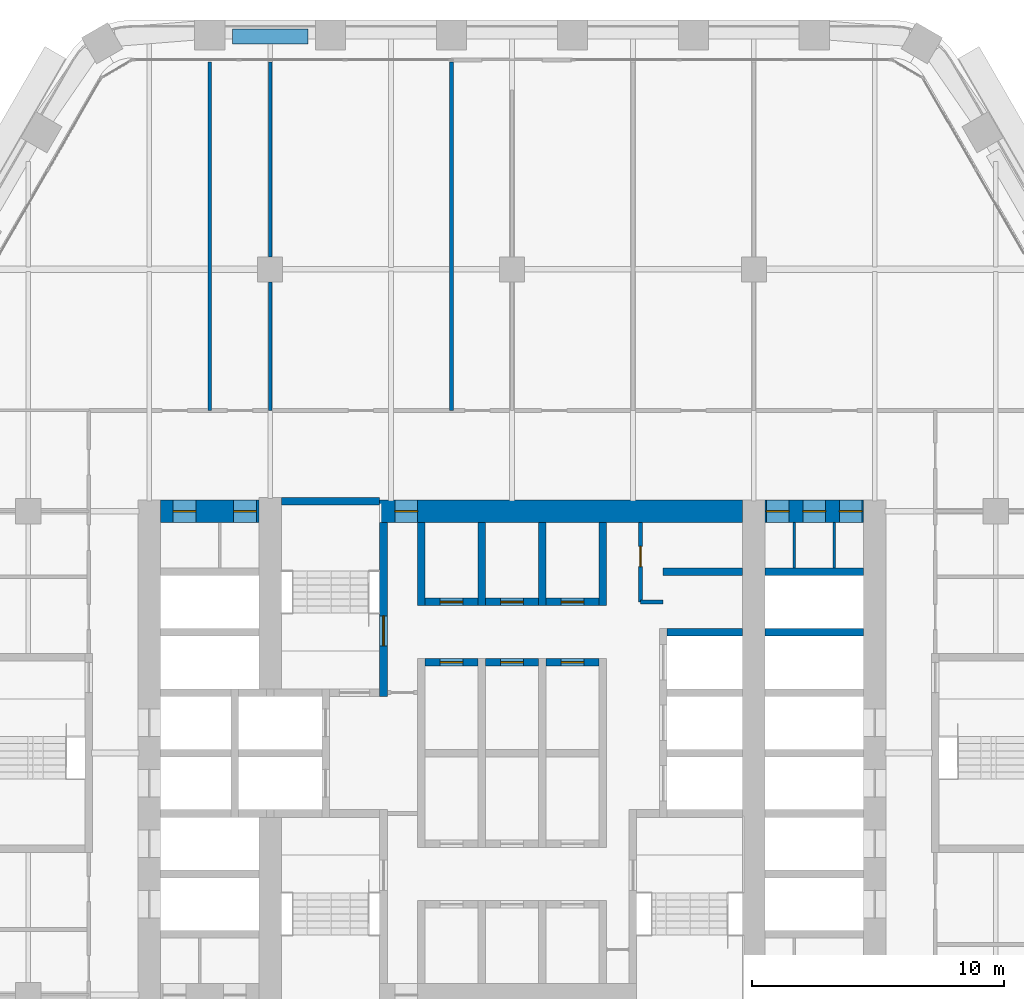
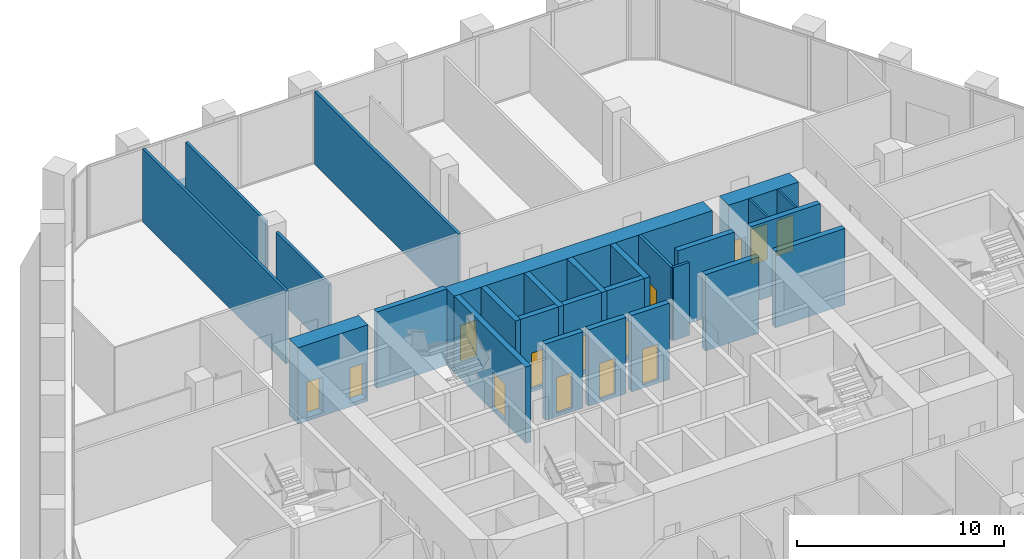
# One storey, part 16 of 23: 28 walls, 14 doors, 14 openings.
"""IFC4 building model written with IfcOpenShell, lengths in metres."""

import ifcopenshell
import ifcopenshell.guid

model = None  # the IFC model being written
_history = None  # IfcOwnerHistory: only IFC2X3 demands one
_inside = {}  # id of a spatial element -> (the spatial element, [elements in it])
_under = {}  # id of a project, library or spatial element -> (it, [spatial elements below it])
_declared = {}  # id of a project -> (the project, [libraries it declares])
_typed = {}  # id of a type object -> (the type object, [elements of that type])
_made_of = {}  # id of a material, layer set ... -> (it, [elements and type objects made of it])


def new_model(schema):
    """Start an empty IFC model of exactly this schema.

    Asked for "IFC4X3", IfcOpenShell would pick the latest addendum, in which some entities
    have other attributes; the version numbers below select the first issue.
    IFC2X3 requires an IfcOwnerHistory on every rooted entity: one is made here for all.
    """
    global model, _history
    if schema == "IFC4X3":
        model = ifcopenshell.file(schema_version=(4, 3, 0, 0))
    else:
        model = ifcopenshell.file(schema=schema)
    _inside.clear()
    _under.clear()
    _declared.clear()
    _typed.clear()
    _made_of.clear()
    _history = None
    if model.schema == "IFC2X3":
        org = make("IfcOrganization", Name="unknown")
        user = make(
            "IfcPersonAndOrganization",
            ThePerson=make("IfcPerson", FamilyName="unknown"),
            TheOrganization=org,
        )
        app = make(
            "IfcApplication",
            ApplicationDeveloper=org,
            Version="unknown",
            ApplicationFullName="unknown",
            ApplicationIdentifier="unknown",
        )
        _history = make(
            "IfcOwnerHistory",
            OwningUser=user,
            OwningApplication=app,
            ChangeAction="ADDED",
            CreationDate=0,
        )
    return model


def make(cls, **values):
    """One entity of the class cls with the attributes given. An attribute that is None is left unset."""
    return model.create_entity(
        cls, **{name: value for name, value in values.items() if value is not None}
    )


def rooted(cls, **values):
    """An entity with a GlobalId (a new one), such as an element, a storey or a relation."""
    return make(cls, GlobalId=ifcopenshell.guid.new(), OwnerHistory=_history, **values)


def si_unit(unit_type, name, prefix=None):
    """IfcSIUnit, for example si_unit("LENGTHUNIT", "METRE", prefix="MILLI")."""
    return make("IfcSIUnit", UnitType=unit_type, Prefix=prefix, Name=name)


def assignment(units):
    """IfcUnitAssignment: the units of a project."""
    return None if units is None else make("IfcUnitAssignment", Units=units)


def point(xyz):
    """IfcCartesianPoint."""
    return None if xyz is None else make("IfcCartesianPoint", Coordinates=xyz)


def direction(xyz):
    """IfcDirection."""
    return None if xyz is None else make("IfcDirection", DirectionRatios=xyz)


def frame(location, z_axis=None, x_axis=None):
    """IfcAxis2Placement3D, a coordinate frame: its origin and axes. An axis left out is left unset."""
    return make(
        "IfcAxis2Placement3D",
        Location=point(location),
        Axis=direction(z_axis),
        RefDirection=direction(x_axis),
    )


def frame_2d(location, x_axis=None):
    """IfcAxis2Placement2D, a coordinate frame in the plane: its origin and x axis."""
    return make(
        "IfcAxis2Placement2D", Location=point(location), RefDirection=direction(x_axis)
    )


def origin():
    """The frame at (0, 0, 0) with its axes left unset."""
    return frame((0.0, 0.0, 0.0))


def place(relative_to, where):
    """IfcLocalPlacement: puts the frame where relative to a parent placement (None: the world)."""
    return make(
        "IfcLocalPlacement", PlacementRelTo=relative_to, RelativePlacement=where
    )


def context(
    kind, dimensions, precision=None, world=None, true_north=None, identifier=None
):
    """IfcGeometricRepresentationContext, for example the 3D "Model" context."""
    return make(
        "IfcGeometricRepresentationContext",
        ContextIdentifier=identifier,
        ContextType=kind,
        CoordinateSpaceDimension=dimensions,
        Precision=precision,
        WorldCoordinateSystem=world,
        TrueNorth=true_north,
    )


def subcontext(parent, identifier, kind, view, scale=None):
    """IfcGeometricRepresentationSubContext, for example "Body" below "Model"."""
    return make(
        "IfcGeometricRepresentationSubContext",
        ContextIdentifier=identifier,
        ContextType=kind,
        ParentContext=parent,
        TargetScale=scale,
        TargetView=view,
    )


def project(units=None, contexts=None):
    """IfcProject with its units and contexts."""
    return rooted(
        "IfcProject",
        Name="project",
        RepresentationContexts=contexts,
        UnitsInContext=assignment(units),
    )


def spatial(cls, under=None, at=None, **own):
    """A site, building, storey or space (cls), placed at a placement, below another one or the project."""
    s = rooted(cls, ObjectPlacement=at, **own)
    if under is not None:
        _under.setdefault(under.id(), (under, []))[1].append(s)
    return s


def profile(cls, at=None, kind="AREA", **sizes):
    """A parametric profile (cls). Its sizes go by their IFC names, for example OverallWidth=200.0."""
    return make(cls, ProfileType=kind, Position=at, **sizes)


def rectangle(**sizes):
    """IfcRectangleProfileDef."""
    return profile("IfcRectangleProfileDef", **sizes)


def extrude(swept, where, along, depth):
    """IfcExtrudedAreaSolid: the profile swept, set in the frame where, extruded along a direction by depth."""
    return make(
        "IfcExtrudedAreaSolid",
        SweptArea=swept,
        Position=where,
        ExtrudedDirection=direction(along),
        Depth=depth,
    )


def shape(context_of_items, identifier, shape_type, items):
    """IfcShapeRepresentation: the items that make up one representation, for example the "Body"."""
    return make(
        "IfcShapeRepresentation",
        ContextOfItems=context_of_items,
        RepresentationIdentifier=identifier,
        RepresentationType=shape_type,
        Items=items,
    )


def material(Name=None, Category=None):
    """IfcMaterial."""
    return make("IfcMaterial", Name=Name, Category=Category)


def layer(
    of_material, thickness, ventilated=None, Name=None, Category=None, Priority=None
):
    """IfcMaterialLayer: one layer of a wall or slab, of a material (None: an air gap)."""
    return make(
        "IfcMaterialLayer",
        Material=of_material,
        LayerThickness=thickness,
        IsVentilated=ventilated,
        Name=Name,
        Category=Category,
        Priority=Priority,
    )


def layer_set(layers, Name=None):
    """IfcMaterialLayerSet."""
    return make("IfcMaterialLayerSet", MaterialLayers=layers, LayerSetName=Name)


def made_of(thing, what):
    """Note that an element or type object is made of a material, layer set ...; save() writes the relation."""
    if what is not None:
        _made_of.setdefault(what.id(), (what, []))[1].append(thing)
    return thing


def type_object(cls, material=None, **own):
    """A type object (cls), such as IfcWallType, which elements share."""
    return made_of(rooted(cls, **own), material)


def element(
    cls,
    number,
    at=None,
    inside=None,
    cuts=None,
    type_object=None,
    material=None,
    context=None,
    identifier="Body",
    shape_type=None,
    held_by="IfcProductDefinitionShape",
    body=None,
    shapes=None,
    **own,
):
    """One element of the class cls, such as IfcWall. Its Tag is "e" and its number.

    at: its placement. inside: the storey or other place that contains it. cuts: it is an
    opening in that element (IfcRelVoidsElement). A single representation is given by context,
    identifier, shape_type and body (its items); several are given by shapes. held_by: the class
    of the entity that holds the representations. save() writes the other relations.
    """
    e = rooted(cls, Tag="e%d" % number, ObjectPlacement=at, **own)
    if body is not None:
        shapes = [shape(context, identifier, shape_type, body)]
    if shapes is not None:
        e.Representation = make(held_by, Representations=shapes)
    if inside is not None:
        _inside.setdefault(inside.id(), (inside, []))[1].append(e)
    if cuts is not None:
        rooted(
            "IfcRelVoidsElement", RelatingBuildingElement=cuts, RelatedOpeningElement=e
        )
    if type_object is not None:
        _typed.setdefault(type_object.id(), (type_object, []))[1].append(e)
    return made_of(e, material)


def fill(opening, filler):
    """IfcRelFillsElement: the door or window that sits in an opening."""
    return rooted(
        "IfcRelFillsElement",
        RelatingOpeningElement=opening,
        RelatedBuildingElement=filler,
    )


def aggregate(whole, parts):
    """IfcRelAggregates: a whole, such as a stair, and the parts it consists of."""
    return rooted("IfcRelAggregates", RelatingObject=whole, RelatedObjects=parts)


def save(model, path):
    """Write the relations noted so far, then the file.

    IfcRelAggregates (storeys below a building ...), IfcRelContainedInSpatialStructure (elements
    in a storey), IfcRelDefinesByType, IfcRelAssociatesMaterial and IfcRelDeclares: one each for
    every whole, place, type object, material and project.
    """
    for whole, parts in _under.values():
        aggregate(whole, parts)
    for where, things in _inside.values():
        rooted(
            "IfcRelContainedInSpatialStructure",
            RelatedElements=things,
            RelatingStructure=where,
        )
    for kind, things in _typed.values():
        rooted("IfcRelDefinesByType", RelatedObjects=things, RelatingType=kind)
    for what, things in _made_of.values():
        rooted("IfcRelAssociatesMaterial", RelatedObjects=things, RelatingMaterial=what)
    for by, libraries in _declared.values():
        rooted("IfcRelDeclares", RelatingContext=by, RelatedDefinitions=libraries)
    model.write(path)


model = new_model("IFC4")

# Units and contexts
model_context = context("Model", 3, precision=1e-05, world=origin(), true_north=direction((0.0, 1.0)))
body_context = subcontext(model_context, "Body", "Model", "MODEL_VIEW")
ifc_project = project(units=[si_unit("LENGTHUNIT", "METRE"), si_unit("AREAUNIT", "SQUARE_METRE"), si_unit("VOLUMEUNIT", "CUBIC_METRE"), si_unit("PLANEANGLEUNIT", "RADIAN"), si_unit("MASSUNIT", "GRAM", prefix="KILO")], contexts=[model_context])

# Site, building, storey
site_placement = place(None, origin())
site = spatial("IfcSite", under=ifc_project, at=site_placement, CompositionType="ELEMENT")
building_placement = place(site_placement, origin())
building = spatial("IfcBuilding", under=site, at=building_placement, Name="Kolab Exchange Tower", CompositionType="ELEMENT")
storey_placement = place(building_placement, frame((0.0, 0.0, 95.89990234375)))
storey = spatial("IfcBuildingStorey", under=building, at=storey_placement, Name="L18", CompositionType="ELEMENT", Elevation=95.89990234375)

# Wall, openings, doors
ifc_material_1 = material(Name="Concrete C70/85", Category="concrete")
ifc_layer_1 = layer(ifc_material_1, 0.89990234375)
ifc_layer_set_1 = layer_set([ifc_layer_1], Name="Concrete C70/85")
wall_type_1 = type_object("IfcWallType", Name="CORE WALL 900 C70/85", PredefinedType="SHEAR", material=ifc_layer_set_1)
wall_1_placement = place(storey_placement, frame((-13.949951171875, 9.60009765625, -0.199951171875), z_axis=(0.0, 0.0, 1.0), x_axis=(1.0, 0.0, 0.0)))
wall_1 = element("IfcWall", 1, at=wall_1_placement, inside=storey, type_object=wall_type_1, Name="wall/L18/core/051", PredefinedType="SHEAR", context=body_context, shape_type="SweptSolid", body=[
    extrude(rectangle(XDim=3.89990234375, YDim=0.89990234375, at=frame_2d((1.949951171875, 0.0))), origin(), (0.0, 0.0, 1.0), 4.5),
])
opening_1_placement = place(wall_1_placement, frame((0.5, 0.0, 0.199951171875)))
opening_1 = element("IfcOpeningElement", 2, at=opening_1_placement, cuts=wall_1, Name="Opening D6-226", PredefinedType="OPENING", context=body_context, shape_type="SweptSolid", body=[
    extrude(rectangle(XDim=0.89990234375, YDim=2.10009765625, at=frame_2d((0.449951171875, 1.050048828125))), frame((0.0, 0.4599609375, 0.0), z_axis=(0.0, -1.0, 0.0), x_axis=(1.0, 0.0, 0.0)), (0.0, 0.0, 1.0), 0.919921875),
])
opening_2_placement = place(wall_1_placement, frame((2.89990234375, 0.0, 0.199951171875)))
opening_2 = element("IfcOpeningElement", 3, at=opening_2_placement, cuts=wall_1, Name="Opening D6-227", PredefinedType="OPENING", context=body_context, shape_type="SweptSolid", body=[
    extrude(rectangle(XDim=0.89990234375, YDim=2.10009765625, at=frame_2d((0.449951171875, 1.050048828125))), frame((0.0, 0.4599609375, 0.0), z_axis=(0.0, -1.0, 0.0), x_axis=(1.0, 0.0, 0.0)), (0.0, 0.0, 1.0), 0.919921875),
])
ifc_material_2 = material(Name="Steel S235", Category="steel")
door_type_1 = type_object("IfcDoorType", Name="CORE DOOR 900 EI 120", OperationType="SINGLE_SWING_LEFT", PredefinedType="DOOR", material=ifc_material_2)
door_1_placement = place(opening_1_placement, frame((0.89990234375, 0.0, 0.0), z_axis=(0.0, 0.0, 1.0), x_axis=(-1.0, 0.0, 0.0)))
door_1 = element("IfcDoor", 4, at=door_1_placement, inside=storey, type_object=door_type_1, Name="Service room door", OperationType="SINGLE_SWING_LEFT", OverallHeight=2.10009765625, OverallWidth=0.89990234375, PredefinedType="DOOR", context=body_context, shape_type="SweptSolid", body=[
    extrude(rectangle(XDim=0.89990234375, YDim=2.10009765625, at=frame_2d((0.449951171875, 1.050048828125))), frame((0.0, 0.02490234375, 0.0), z_axis=(0.0, -1.0, 0.0), x_axis=(1.0, 0.0, 0.0)), (0.0, 0.0, 1.0), 0.050048828125),
])
fill(opening_1, door_1)
door_2_placement = place(opening_2_placement, frame((0.89990234375, 0.0, 0.0), z_axis=(0.0, 0.0, 1.0), x_axis=(-1.0, 0.0, 0.0)))
door_2 = element("IfcDoor", 5, at=door_2_placement, inside=storey, type_object=door_type_1, Name="Service room door", OperationType="SINGLE_SWING_LEFT", OverallHeight=2.10009765625, OverallWidth=0.89990234375, PredefinedType="DOOR", context=body_context, shape_type="SweptSolid", body=[
    extrude(rectangle(XDim=0.89990234375, YDim=2.10009765625, at=frame_2d((0.449951171875, 1.050048828125))), frame((0.0, 0.02490234375, 0.0), z_axis=(0.0, -1.0, 0.0), x_axis=(1.0, 0.0, 0.0)), (0.0, 0.0, 1.0), 0.050048828125),
])
fill(opening_2, door_2)

# Wall, opening, door
wall_2_placement = place(storey_placement, frame((-5.25, 9.60009765625, -0.199951171875), z_axis=(0.0, 0.0, 1.0), x_axis=(1.0, 0.0, 0.0)))
wall_2 = element("IfcWall", 6, at=wall_2_placement, inside=storey, type_object=wall_type_1, Name="wall/L18/core/052", PredefinedType="SHEAR", context=body_context, shape_type="SweptSolid", body=[
    extrude(rectangle(XDim=14.39990234375, YDim=0.89990234375, at=frame_2d((7.199951171875, 0.0))), origin(), (0.0, 0.0, 1.0), 4.5),
])
opening_3_placement = place(wall_2_placement, frame((0.60009765625, 0.0, 0.199951171875)))
opening_3 = element("IfcOpeningElement", 7, at=opening_3_placement, cuts=wall_2, Name="Opening D6-225", PredefinedType="OPENING", context=body_context, shape_type="SweptSolid", body=[
    extrude(rectangle(XDim=0.89990234375, YDim=2.10009765625, at=frame_2d((0.449951171875, 1.050048828125))), frame((0.0, 0.4599609375, 0.0), z_axis=(0.0, -1.0, 0.0), x_axis=(1.0, 0.0, 0.0)), (0.0, 0.0, 1.0), 0.919921875),
])
door_3_placement = place(opening_3_placement, frame((0.89990234375, 0.0, 0.0), z_axis=(0.0, 0.0, 1.0), x_axis=(-1.0, 0.0, 0.0)))
door_3 = element("IfcDoor", 8, at=door_3_placement, inside=storey, type_object=door_type_1, Name="Core lobby door", OperationType="SINGLE_SWING_RIGHT", OverallHeight=2.10009765625, OverallWidth=0.89990234375, PredefinedType="DOOR", context=body_context, shape_type="SweptSolid", body=[
    extrude(rectangle(XDim=0.89990234375, YDim=2.10009765625, at=frame_2d((0.449951171875, 1.050048828125))), frame((0.0, 0.02490234375, 0.0), z_axis=(0.0, -1.0, 0.0), x_axis=(1.0, 0.0, 0.0)), (0.0, 0.0, 1.0), 0.050048828125),
])
fill(opening_3, door_3)

# Wall, openings, doors
wall_3_placement = place(storey_placement, frame((10.050048828125, 9.60009765625, -0.199951171875), z_axis=(0.0, 0.0, 1.0), x_axis=(1.0, 0.0, 0.0)))
wall_3 = element("IfcWall", 9, at=wall_3_placement, inside=storey, type_object=wall_type_1, Name="wall/L18/core/053", PredefinedType="SHEAR", context=body_context, shape_type="SweptSolid", body=[
    extrude(rectangle(XDim=3.89990234375, YDim=0.89990234375, at=frame_2d((1.949951171875, 0.0))), origin(), (0.0, 0.0, 1.0), 4.5),
])
opening_4_placement = place(wall_3_placement, frame((0.050048828125, 0.0, 0.199951171875)))
opening_4 = element("IfcOpeningElement", 10, at=opening_4_placement, cuts=wall_3, Name="Opening D6-211", PredefinedType="OPENING", context=body_context, shape_type="SweptSolid", body=[
    extrude(rectangle(XDim=0.89990234375, YDim=2.10009765625, at=frame_2d((0.449951171875, 1.050048828125))), frame((0.0, 0.4599609375, 0.0), z_axis=(0.0, -1.0, 0.0), x_axis=(1.0, 0.0, 0.0)), (0.0, 0.0, 1.0), 0.919921875),
])
opening_5_placement = place(wall_3_placement, frame((1.5, 0.0, 0.199951171875)))
opening_5 = element("IfcOpeningElement", 11, at=opening_5_placement, cuts=wall_3, Name="Opening D6-212", PredefinedType="OPENING", context=body_context, shape_type="SweptSolid", body=[
    extrude(rectangle(XDim=0.89990234375, YDim=2.10009765625, at=frame_2d((0.449951171875, 1.050048828125))), frame((0.0, 0.4599609375, 0.0), z_axis=(0.0, -1.0, 0.0), x_axis=(1.0, 0.0, 0.0)), (0.0, 0.0, 1.0), 0.919921875),
])
opening_6_placement = place(wall_3_placement, frame((2.949951171875, 0.0, 0.199951171875)))
opening_6 = element("IfcOpeningElement", 12, at=opening_6_placement, cuts=wall_3, Name="Opening D6-213", PredefinedType="OPENING", context=body_context, shape_type="SweptSolid", body=[
    extrude(rectangle(XDim=0.89990234375, YDim=2.10009765625, at=frame_2d((0.449951171875, 1.050048828125))), frame((0.0, 0.4599609375, 0.0), z_axis=(0.0, -1.0, 0.0), x_axis=(1.0, 0.0, 0.0)), (0.0, 0.0, 1.0), 0.919921875),
])
door_4_placement = place(opening_4_placement, frame((0.89990234375, 0.0, 0.0), z_axis=(0.0, 0.0, 1.0), x_axis=(-1.0, 0.0, 0.0)))
door_4 = element("IfcDoor", 13, at=door_4_placement, inside=storey, type_object=door_type_1, Name="Service room door", OperationType="SINGLE_SWING_RIGHT", OverallHeight=2.10009765625, OverallWidth=0.89990234375, PredefinedType="DOOR", context=body_context, shape_type="SweptSolid", body=[
    extrude(rectangle(XDim=0.89990234375, YDim=2.10009765625, at=frame_2d((0.449951171875, 1.050048828125))), frame((0.0, 0.02490234375, 0.0), z_axis=(0.0, -1.0, 0.0), x_axis=(1.0, 0.0, 0.0)), (0.0, 0.0, 1.0), 0.050048828125),
])
fill(opening_4, door_4)
door_5_placement = place(opening_5_placement, frame((0.89990234375, 0.0, 0.0), z_axis=(0.0, 0.0, 1.0), x_axis=(-1.0, 0.0, 0.0)))
door_5 = element("IfcDoor", 14, at=door_5_placement, inside=storey, type_object=door_type_1, Name="Service room door", OperationType="SINGLE_SWING_LEFT", OverallHeight=2.10009765625, OverallWidth=0.89990234375, PredefinedType="DOOR", context=body_context, shape_type="SweptSolid", body=[
    extrude(rectangle(XDim=0.89990234375, YDim=2.10009765625, at=frame_2d((0.449951171875, 1.050048828125))), frame((0.0, 0.02490234375, 0.0), z_axis=(0.0, -1.0, 0.0), x_axis=(1.0, 0.0, 0.0)), (0.0, 0.0, 1.0), 0.050048828125),
])
fill(opening_5, door_5)
door_6_placement = place(opening_6_placement, frame((0.89990234375, 0.0, 0.0), z_axis=(0.0, 0.0, 1.0), x_axis=(-1.0, 0.0, 0.0)))
door_6 = element("IfcDoor", 15, at=door_6_placement, inside=storey, type_object=door_type_1, Name="Service room door", OperationType="SINGLE_SWING_LEFT", OverallHeight=2.10009765625, OverallWidth=0.89990234375, PredefinedType="DOOR", context=body_context, shape_type="SweptSolid", body=[
    extrude(rectangle(XDim=0.89990234375, YDim=2.10009765625, at=frame_2d((0.449951171875, 1.050048828125))), frame((0.0, 0.02490234375, 0.0), z_axis=(0.0, -1.0, 0.0), x_axis=(1.0, 0.0, 0.0)), (0.0, 0.0, 1.0), 0.050048828125),
])
fill(opening_6, door_6)

# Wall, opening, door
ifc_material_3 = material(Name="Concrete C50/60", Category="concrete")
ifc_layer_2 = layer(ifc_material_3, 0.300048828125)
ifc_layer_set_2 = layer_set([ifc_layer_2], Name="Concrete C50/60")
wall_type_2 = type_object("IfcWallType", Name="LIFT SHAFT WALL 300 C50/60", PredefinedType="STANDARD", material=ifc_layer_set_2)
wall_4_placement = place(storey_placement, frame((-3.449951171875, 3.60009765625, -0.199951171875), z_axis=(0.0, 0.0, 1.0), x_axis=(1.0, 0.0, 0.0)))
wall_4 = element("IfcWall", 16, at=wall_4_placement, inside=storey, type_object=wall_type_2, Name="wall/L18/core/037", PredefinedType="STANDARD", context=body_context, shape_type="SweptSolid", body=[
    extrude(rectangle(XDim=2.099853515625, YDim=0.300048828125, at=frame_2d((1.0498046875, 0.0))), origin(), (0.0, 0.0, 1.0), 4.5),
])
opening_7_placement = place(wall_4_placement, frame((0.60009765625, 0.0, 0.199951171875)))
opening_7 = element("IfcOpeningElement", 17, at=opening_7_placement, cuts=wall_4, Name="Opening D6-196", PredefinedType="OPENING", context=body_context, shape_type="SweptSolid", body=[
    extrude(rectangle(XDim=0.89990234375, YDim=2.10009765625, at=frame_2d((0.449951171875, 1.050048828125))), frame((0.0, 0.16015625, 0.0), z_axis=(0.0, -1.0, 0.0), x_axis=(1.0, 0.0, 0.0)), (0.0, 0.0, 1.0), 0.320068359375),
])
door_7_placement = place(opening_7_placement, frame((0.89990234375, 0.0, 0.0), z_axis=(0.0, 0.0, 1.0), x_axis=(-1.0, 0.0, 0.0)))
door_7 = element("IfcDoor", 18, at=door_7_placement, inside=storey, type_object=door_type_1, Name="Service room door", OperationType="SINGLE_SWING_LEFT", OverallHeight=2.10009765625, OverallWidth=0.89990234375, PredefinedType="DOOR", context=body_context, shape_type="SweptSolid", body=[
    extrude(rectangle(XDim=0.89990234375, YDim=2.10009765625, at=frame_2d((0.449951171875, 1.050048828125))), frame((0.0, 0.02490234375, 0.0), z_axis=(0.0, -1.0, 0.0), x_axis=(1.0, 0.0, 0.0)), (0.0, 0.0, 1.0), 0.050048828125),
])
fill(opening_7, door_7)

wall_5_placement = place(storey_placement, frame((-1.050048828125, 3.60009765625, -0.199951171875), z_axis=(0.0, 0.0, 1.0), x_axis=(1.0, 0.0, 0.0)))
wall_5 = element("IfcWall", 19, at=wall_5_placement, inside=storey, type_object=wall_type_2, Name="wall/L18/core/038", PredefinedType="STANDARD", context=body_context, shape_type="SweptSolid", body=[
    extrude(rectangle(XDim=2.10009765625, YDim=0.300048828125, at=frame_2d((1.050048828125, 0.0))), origin(), (0.0, 0.0, 1.0), 4.5),
])
opening_8_placement = place(wall_5_placement, frame((0.60009765625, 0.0, 0.199951171875)))
opening_8 = element("IfcOpeningElement", 20, at=opening_8_placement, cuts=wall_5, Name="Opening D6-195", PredefinedType="OPENING", context=body_context, shape_type="SweptSolid", body=[
    extrude(rectangle(XDim=0.89990234375, YDim=2.10009765625, at=frame_2d((0.449951171875, 1.050048828125))), frame((0.0, 0.16015625, 0.0), z_axis=(0.0, -1.0, 0.0), x_axis=(1.0, 0.0, 0.0)), (0.0, 0.0, 1.0), 0.320068359375),
])
door_8_placement = place(opening_8_placement, frame((0.89990234375, 0.0, 0.0), z_axis=(0.0, 0.0, 1.0), x_axis=(-1.0, 0.0, 0.0)))
door_8 = element("IfcDoor", 21, at=door_8_placement, inside=storey, type_object=door_type_1, Name="Service room door", OperationType="SINGLE_SWING_LEFT", OverallHeight=2.10009765625, OverallWidth=0.89990234375, PredefinedType="DOOR", context=body_context, shape_type="SweptSolid", body=[
    extrude(rectangle(XDim=0.89990234375, YDim=2.10009765625, at=frame_2d((0.449951171875, 1.050048828125))), frame((0.0, 0.02490234375, 0.0), z_axis=(0.0, -1.0, 0.0), x_axis=(1.0, 0.0, 0.0)), (0.0, 0.0, 1.0), 0.050048828125),
])
fill(opening_8, door_8)

wall_6_placement = place(storey_placement, frame((1.35009765625, 3.60009765625, -0.199951171875), z_axis=(0.0, 0.0, 1.0), x_axis=(1.0, 0.0, 0.0)))
wall_6 = element("IfcWall", 22, at=wall_6_placement, inside=storey, type_object=wall_type_2, Name="wall/L18/core/039", PredefinedType="STANDARD", context=body_context, shape_type="SweptSolid", body=[
    extrude(rectangle(XDim=2.099853515625, YDim=0.300048828125, at=frame_2d((1.0498046875, 0.0))), origin(), (0.0, 0.0, 1.0), 4.5),
])
opening_9_placement = place(wall_6_placement, frame((0.60009765625, 0.0, 0.199951171875)))
opening_9 = element("IfcOpeningElement", 23, at=opening_9_placement, cuts=wall_6, Name="Opening D6-194", PredefinedType="OPENING", context=body_context, shape_type="SweptSolid", body=[
    extrude(rectangle(XDim=0.89990234375, YDim=2.10009765625, at=frame_2d((0.449951171875, 1.050048828125))), frame((0.0, 0.16015625, 0.0), z_axis=(0.0, -1.0, 0.0), x_axis=(1.0, 0.0, 0.0)), (0.0, 0.0, 1.0), 0.320068359375),
])
door_9_placement = place(opening_9_placement, frame((0.89990234375, 0.0, 0.0), z_axis=(0.0, 0.0, 1.0), x_axis=(-1.0, 0.0, 0.0)))
door_9 = element("IfcDoor", 24, at=door_9_placement, inside=storey, type_object=door_type_1, Name="Service room door", OperationType="SINGLE_SWING_RIGHT", OverallHeight=2.10009765625, OverallWidth=0.89990234375, PredefinedType="DOOR", context=body_context, shape_type="SweptSolid", body=[
    extrude(rectangle(XDim=0.89990234375, YDim=2.10009765625, at=frame_2d((0.449951171875, 1.050048828125))), frame((0.0, 0.02490234375, 0.0), z_axis=(0.0, -1.0, 0.0), x_axis=(1.0, 0.0, 0.0)), (0.0, 0.0, 1.0), 0.050048828125),
])
fill(opening_9, door_9)

# Walls
wall_7_placement = place(storey_placement, frame((6.14990234375, 4.800048828125, -0.199951171875), z_axis=(0.0, 0.0, 1.0), x_axis=(1.0, 0.0, 0.0)))
element("IfcWall", 25, at=wall_7_placement, inside=storey, type_object=wall_type_2, Name="wall/L18/core/043", PredefinedType="STANDARD", context=body_context, shape_type="SweptSolid", body=[
    extrude(rectangle(XDim=3.0, YDim=0.300048828125, at=frame_2d((1.5, 0.0))), origin(), (0.0, 0.0, 1.0), 4.5),
])
wall_8_placement = place(storey_placement, frame((10.050048828125, 4.800048828125, -0.199951171875), z_axis=(0.0, 0.0, 1.0), x_axis=(1.0, 0.0, 0.0)))
element("IfcWall", 26, at=wall_8_placement, inside=storey, type_object=wall_type_2, Name="wall/L18/core/044", PredefinedType="STANDARD", context=body_context, shape_type="SweptSolid", body=[
    extrude(rectangle(XDim=3.89990234375, YDim=0.300048828125, at=frame_2d((1.949951171875, 0.0))), origin(), (0.0, 0.0, 1.0), 4.5),
])

# Wall, opening, door
wall_9_placement = place(storey_placement, frame((-3.449951171875, 6.0, -0.199951171875), z_axis=(0.0, 0.0, 1.0), x_axis=(1.0, 0.0, 0.0)))
wall_9 = element("IfcWall", 27, at=wall_9_placement, inside=storey, type_object=wall_type_2, Name="wall/L18/core/045", PredefinedType="STANDARD", context=body_context, shape_type="SweptSolid", body=[
    extrude(rectangle(XDim=2.099853515625, YDim=0.300048828125, at=frame_2d((1.0498046875, 0.0))), origin(), (0.0, 0.0, 1.0), 4.5),
])
opening_10_placement = place(wall_9_placement, frame((0.60009765625, 0.0, 0.199951171875)))
opening_10 = element("IfcOpeningElement", 28, at=opening_10_placement, cuts=wall_9, Name="Opening D6-193", PredefinedType="OPENING", context=body_context, shape_type="SweptSolid", body=[
    extrude(rectangle(XDim=0.89990234375, YDim=2.10009765625, at=frame_2d((0.449951171875, 1.050048828125))), frame((0.0, 0.16015625, 0.0), z_axis=(0.0, -1.0, 0.0), x_axis=(1.0, 0.0, 0.0)), (0.0, 0.0, 1.0), 0.320068359375),
])
door_10_placement = place(opening_10_placement, origin())
door_10 = element("IfcDoor", 29, at=door_10_placement, inside=storey, type_object=door_type_1, Name="Service room door", OperationType="SINGLE_SWING_LEFT", OverallHeight=2.10009765625, OverallWidth=0.89990234375, PredefinedType="DOOR", context=body_context, shape_type="SweptSolid", body=[
    extrude(rectangle(XDim=0.89990234375, YDim=2.10009765625, at=frame_2d((0.449951171875, 1.050048828125))), frame((0.0, 0.02490234375, 0.0), z_axis=(0.0, -1.0, 0.0), x_axis=(1.0, 0.0, 0.0)), (0.0, 0.0, 1.0), 0.050048828125),
])
fill(opening_10, door_10)

wall_10_placement = place(storey_placement, frame((-1.050048828125, 6.0, -0.199951171875), z_axis=(0.0, 0.0, 1.0), x_axis=(1.0, 0.0, 0.0)))
wall_10 = element("IfcWall", 30, at=wall_10_placement, inside=storey, type_object=wall_type_2, Name="wall/L18/core/046", PredefinedType="STANDARD", context=body_context, shape_type="SweptSolid", body=[
    extrude(rectangle(XDim=2.10009765625, YDim=0.300048828125, at=frame_2d((1.050048828125, 0.0))), origin(), (0.0, 0.0, 1.0), 4.5),
])
opening_11_placement = place(wall_10_placement, frame((0.60009765625, 0.0, 0.199951171875)))
opening_11 = element("IfcOpeningElement", 31, at=opening_11_placement, cuts=wall_10, Name="Opening D6-192", PredefinedType="OPENING", context=body_context, shape_type="SweptSolid", body=[
    extrude(rectangle(XDim=0.89990234375, YDim=2.10009765625, at=frame_2d((0.449951171875, 1.050048828125))), frame((0.0, 0.16015625, 0.0), z_axis=(0.0, -1.0, 0.0), x_axis=(1.0, 0.0, 0.0)), (0.0, 0.0, 1.0), 0.320068359375),
])
door_11_placement = place(opening_11_placement, origin())
door_11 = element("IfcDoor", 32, at=door_11_placement, inside=storey, type_object=door_type_1, Name="Service room door", OperationType="SINGLE_SWING_LEFT", OverallHeight=2.10009765625, OverallWidth=0.89990234375, PredefinedType="DOOR", context=body_context, shape_type="SweptSolid", body=[
    extrude(rectangle(XDim=0.89990234375, YDim=2.10009765625, at=frame_2d((0.449951171875, 1.050048828125))), frame((0.0, 0.02490234375, 0.0), z_axis=(0.0, -1.0, 0.0), x_axis=(1.0, 0.0, 0.0)), (0.0, 0.0, 1.0), 0.050048828125),
])
fill(opening_11, door_11)

wall_11_placement = place(storey_placement, frame((1.35009765625, 6.0, -0.199951171875), z_axis=(0.0, 0.0, 1.0), x_axis=(1.0, 0.0, 0.0)))
wall_11 = element("IfcWall", 33, at=wall_11_placement, inside=storey, type_object=wall_type_2, Name="wall/L18/core/047", PredefinedType="STANDARD", context=body_context, shape_type="SweptSolid", body=[
    extrude(rectangle(XDim=2.099853515625, YDim=0.300048828125, at=frame_2d((1.0498046875, 0.0))), origin(), (0.0, 0.0, 1.0), 4.5),
])
opening_12_placement = place(wall_11_placement, frame((0.60009765625, 0.0, 0.199951171875)))
opening_12 = element("IfcOpeningElement", 34, at=opening_12_placement, cuts=wall_11, Name="Opening D6-191", PredefinedType="OPENING", context=body_context, shape_type="SweptSolid", body=[
    extrude(rectangle(XDim=0.89990234375, YDim=2.10009765625, at=frame_2d((0.449951171875, 1.050048828125))), frame((0.0, 0.16015625, 0.0), z_axis=(0.0, -1.0, 0.0), x_axis=(1.0, 0.0, 0.0)), (0.0, 0.0, 1.0), 0.320068359375),
])
door_12_placement = place(opening_12_placement, origin())
door_12 = element("IfcDoor", 35, at=door_12_placement, inside=storey, type_object=door_type_1, Name="Service room door", OperationType="SINGLE_SWING_RIGHT", OverallHeight=2.10009765625, OverallWidth=0.89990234375, PredefinedType="DOOR", context=body_context, shape_type="SweptSolid", body=[
    extrude(rectangle(XDim=0.89990234375, YDim=2.10009765625, at=frame_2d((0.449951171875, 1.050048828125))), frame((0.0, 0.02490234375, 0.0), z_axis=(0.0, -1.0, 0.0), x_axis=(1.0, 0.0, 0.0)), (0.0, 0.0, 1.0), 0.050048828125),
])
fill(opening_12, door_12)

# Walls
wall_12_placement = place(storey_placement, frame((6.0, 7.199951171875, -0.199951171875), z_axis=(0.0, 0.0, 1.0), x_axis=(1.0, 0.0, 0.0)))
element("IfcWall", 36, at=wall_12_placement, inside=storey, type_object=wall_type_2, Name="wall/L18/core/049", PredefinedType="STANDARD", context=body_context, shape_type="SweptSolid", body=[
    extrude(rectangle(XDim=3.14990234375, YDim=0.300048828125, at=frame_2d((1.574951171875, 0.0))), origin(), (0.0, 0.0, 1.0), 4.5),
])
wall_13_placement = place(storey_placement, frame((10.050048828125, 7.199951171875, -0.199951171875), z_axis=(0.0, 0.0, 1.0), x_axis=(1.0, 0.0, 0.0)))
element("IfcWall", 37, at=wall_13_placement, inside=storey, type_object=wall_type_2, Name="wall/L18/core/050", PredefinedType="STANDARD", context=body_context, shape_type="SweptSolid", body=[
    extrude(rectangle(XDim=3.89990234375, YDim=0.300048828125, at=frame_2d((1.949951171875, 0.0))), origin(), (0.0, 0.0, 1.0), 4.5),
])
for number, where, z_axis, x_axis, name in (
    (38, (-3.60009765625, 5.85009765625, -0.199951171875), (0.0, 0.0, 1.0), (0.0, 1.0, 0.0), "wall/L18/core/068"),
    (39, (-1.199951171875, 5.85009765625, -0.199951171875), (0.0, 0.0, 1.0), (0.0, 1.0, 0.0), "wall/L18/core/071"),
    (40, (1.199951171875, 5.85009765625, -0.199951171875), (0.0, 0.0, 1.0), (0.0, 1.0, 0.0), "wall/L18/core/074"),
    (41, (3.60009765625, 5.85009765625, -0.199951171875), (0.0, 0.0, 1.0), (0.0, 1.0, 0.0), "wall/L18/core/077"),
):
    element("IfcWall", number, at=place(storey_placement, frame(where, z_axis=z_axis, x_axis=x_axis)), inside=storey, type_object=wall_type_2, Name=name, PredefinedType="STANDARD", context=body_context, shape_type="SweptSolid", body=[
        extrude(rectangle(XDim=3.2998046875, YDim=0.300048828125, at=frame_2d((1.64990234375, 0.0))), origin(), (0.0, 0.0, 1.0), 4.5),
    ])
ifc_material_4 = material(Name="Gypsum board", Category="gypsum")
ifc_layer_3 = layer(ifc_material_4, 0.10009765625)
ifc_layer_set_3 = layer_set([ifc_layer_3], Name="Gypsum board")
wall_type_3 = type_object("IfcWallType", Name="PARTITION 100", PredefinedType="PARTITIONING", material=ifc_layer_set_3)
for number, where, z_axis, x_axis, name in (
    (42, (12.800048828125, 7.35009765625, 0.0), (0.0, 0.0, 1.0), (0.0, 1.0, 0.0), "Partition 004"),
    (43, (11.199951171875, 7.35009765625, 0.0), (0.0, 0.0, 1.0), (0.0, 1.0, 0.0), "Partition 006"),
):
    element("IfcWall", number, at=place(storey_placement, frame(where, z_axis=z_axis, x_axis=x_axis)), inside=storey, type_object=wall_type_3, Name=name, PredefinedType="PARTITIONING", context=body_context, shape_type="SweptSolid", body=[
        extrude(rectangle(XDim=1.7998046875, YDim=0.10009765625, at=frame_2d((0.89990234375, 0.0))), origin(), (0.0, 0.0, 1.0), 4.300048828125),
    ])

# Wall, opening, door
ifc_layer_4 = layer(ifc_material_4, 0.14990234375)
ifc_layer_set_4 = layer_set([ifc_layer_4], Name="Gypsum board")
wall_type_4 = type_object("IfcWallType", Name="PARTITION 150 FIRE-RATED", PredefinedType="PARTITIONING", material=ifc_layer_set_4)
wall_14_placement = place(storey_placement, frame((5.10009765625, 6.0, 0.0), z_axis=(0.0, 0.0, 1.0), x_axis=(0.0, 1.0, 0.0)))
wall_14 = element("IfcWall", 44, at=wall_14_placement, inside=storey, type_object=wall_type_4, Name="Partition 012", PredefinedType="PARTITIONING", context=body_context, shape_type="SweptSolid", body=[
    extrude(rectangle(XDim=3.14990234375, YDim=0.14990234375, at=frame_2d((1.574951171875, 0.0))), origin(), (0.0, 0.0, 1.0), 4.300048828125),
])
opening_13_placement = place(wall_14_placement, frame((1.39990234375, 0.0, 0.0)))
opening_13 = element("IfcOpeningElement", 45, at=opening_13_placement, cuts=wall_14, Name="Opening D7-021", PredefinedType="OPENING", context=body_context, shape_type="SweptSolid", body=[
    extrude(rectangle(XDim=0.800048828125, YDim=2.10009765625, at=frame_2d((0.39990234375, 1.050048828125))), frame((0.0, 0.0849609375, 0.0), z_axis=(0.0, -1.0, 0.0), x_axis=(1.0, 0.0, 0.0)), (0.0, 0.0, 1.0), 0.169921875),
])
door_type_2 = type_object("IfcDoorType", Name="FLUSH DOOR 800 FD60", OperationType="SINGLE_SWING_LEFT", PredefinedType="DOOR", material=ifc_material_2)
door_13_placement = place(opening_13_placement, frame((0.800048828125, 0.0, 0.0), z_axis=(0.0, 0.0, 1.0), x_axis=(-1.0, 0.0, 0.0)))
door_13 = element("IfcDoor", 46, at=door_13_placement, inside=storey, type_object=door_type_2, Name="Door L18-042", OperationType="SINGLE_SWING_LEFT", OverallHeight=2.10009765625, OverallWidth=0.800048828125, PredefinedType="DOOR", context=body_context, shape_type="SweptSolid", body=[
    extrude(rectangle(XDim=0.800048828125, YDim=2.10009765625, at=frame_2d((0.39990234375, 1.050048828125))), frame((0.0, 0.02490234375, 0.0), z_axis=(0.0, -1.0, 0.0), x_axis=(1.0, 0.0, 0.0)), (0.0, 0.0, 1.0), 0.050048828125),
])
fill(opening_13, door_13)

# Walls
wall_15_placement = place(storey_placement, frame((-2.39990234375, 13.60009765625, 0.0), z_axis=(0.0, 0.0, 1.0), x_axis=(0.0, 1.0, 0.0)))
element("IfcWall", 47, at=wall_15_placement, inside=storey, type_object=wall_type_4, Name="Partition 021", PredefinedType="PARTITIONING", context=body_context, shape_type="SweptSolid", body=[
    extrude(rectangle(XDim=13.83837890625, YDim=0.14990234375, at=frame_2d((6.919189453125, 0.0))), origin(), (0.0, 0.0, 1.0), 4.300048828125),
])
wall_16_placement = place(storey_placement, frame((-9.60009765625, 13.60009765625, 0.0), z_axis=(0.0, 0.0, 1.0), x_axis=(0.0, 1.0, 0.0)))
element("IfcWall", 48, at=wall_16_placement, inside=storey, type_object=wall_type_4, Name="Partition 025", PredefinedType="PARTITIONING", context=body_context, shape_type="SweptSolid", body=[
    extrude(rectangle(XDim=5.099853515625, YDim=0.14990234375, at=frame_2d((2.5498046875, 0.0))), origin(), (0.0, 0.0, 1.0), 3.843017578125),
])
wall_17_placement = place(storey_placement, frame((-9.60009765625, 19.699951171875, 0.0), z_axis=(0.0, 0.0, 1.0), x_axis=(0.0, 1.0, 0.0)))
element("IfcWall", 49, at=wall_17_placement, inside=storey, type_object=wall_type_4, Name="Partition 026", PredefinedType="PARTITIONING", context=body_context, shape_type="SweptSolid", body=[
    extrude(rectangle(XDim=7.728515625, YDim=0.14990234375, at=frame_2d((3.8642578125, 0.0))), origin(), (0.0, 0.0, 1.0), 3.843017578125),
])
wall_18_placement = place(storey_placement, frame((-12.0, 13.60009765625, 0.0), z_axis=(0.0, 0.0, 1.0), x_axis=(0.0, 1.0, 0.0)))
element("IfcWall", 50, at=wall_18_placement, inside=storey, type_object=wall_type_4, Name="Partition 028", PredefinedType="PARTITIONING", context=body_context, shape_type="SweptSolid", body=[
    extrude(rectangle(XDim=13.828369140625, YDim=0.14990234375, at=frame_2d((6.9140625, 0.0))), origin(), (0.0, 0.0, 1.0), 4.300048828125),
])
wall_19_placement = place(storey_placement, frame((5.10009765625, 6.0, 0.0), z_axis=(0.0, 0.0, 1.0), x_axis=(1.0, 0.0, 0.0)))
element("IfcWall", 51, at=wall_19_placement, inside=storey, type_object=wall_type_4, Name="Partition 047", PredefinedType="PARTITIONING", context=body_context, shape_type="SweptSolid", body=[
    extrude(rectangle(XDim=0.89990234375, YDim=0.14990234375, at=frame_2d((0.449951171875, 0.0))), origin(), (0.0, 0.0, 1.0), 4.300048828125),
])
ifc_material_5 = material(Name="Granite facing", Category="masonry")
ifc_layer_5 = layer(ifc_material_5, 0.0400390625)
ifc_material_6 = material(Name="Concrete C40/50 precast", Category="concrete")
ifc_layer_6 = layer(ifc_material_6, 0.56005859375)
ifc_layer_set_5 = layer_set([ifc_layer_5, ifc_layer_6], Name="Concrete C40/50 precast")
wall_type_5 = type_object("IfcWallType", Name="PLANTER BOX 600 X 700 SOIL DEPTH 550", PredefinedType="USERDEFINED", material=ifc_layer_set_5)
wall_20_placement = place(storey_placement, frame((-11.10009765625, 28.448486328125, 0.0), z_axis=(0.0, 0.0, 1.0), x_axis=(1.0, 0.0, 0.0)))
element("IfcWall", 52, at=wall_20_placement, inside=storey, type_object=wall_type_5, Name="Planter", ObjectType="PLANTER", PredefinedType="USERDEFINED", context=body_context, shape_type="SweptSolid", body=[
    extrude(rectangle(XDim=3.0, YDim=0.60009765625, at=frame_2d((1.5, 0.0))), origin(), (0.0, 0.0, 1.0), 0.7001953125),
])
ifc_layer_7 = layer(ifc_material_3, 0.300048828125)
ifc_layer_set_6 = layer_set([ifc_layer_7], Name="Concrete C50/60")
wall_type_6 = type_object("IfcWallType", Name="STAIR ENCLOSURE WALL 300 C50/60", PredefinedType="STANDARD", material=ifc_layer_set_6)
wall_21_placement = place(storey_placement, frame((-9.14990234375, 10.0, -0.199951171875), z_axis=(0.0, 0.0, 1.0), x_axis=(1.0, 0.0, 0.0)))
element("IfcWall", 53, at=wall_21_placement, inside=storey, type_object=wall_type_6, Name="wall/L18/core/054", PredefinedType="STANDARD", context=body_context, shape_type="SweptSolid", body=[
    extrude(rectangle(XDim=3.89990234375, YDim=0.300048828125, at=frame_2d((1.949951171875, 0.0))), origin(), (0.0, 0.0, 1.0), 4.5),
])

# Wall, opening, door
wall_22_placement = place(storey_placement, frame((-5.10009765625, 2.25, -0.199951171875), z_axis=(0.0, 0.0, 1.0), x_axis=(0.0, 1.0, 0.0)))
wall_22 = element("IfcWall", 54, at=wall_22_placement, inside=storey, type_object=wall_type_6, Name="wall/L18/core/065", PredefinedType="STANDARD", context=body_context, shape_type="SweptSolid", body=[
    extrude(rectangle(XDim=6.89990234375, YDim=0.300048828125, at=frame_2d((3.449951171875, 0.0))), origin(), (0.0, 0.0, 1.0), 4.5),
])
opening_14_placement = place(wall_22_placement, frame((2.0, 0.0, 0.199951171875)))
opening_14 = element("IfcOpeningElement", 55, at=opening_14_placement, cuts=wall_22, Name="Opening D4-044", PredefinedType="OPENING", context=body_context, shape_type="SweptSolid", body=[
    extrude(rectangle(XDim=1.199951171875, YDim=2.10009765625, at=frame_2d((0.60009765625, 1.050048828125))), frame((0.0, 0.16015625, 0.0), z_axis=(0.0, -1.0, 0.0), x_axis=(1.0, 0.0, 0.0)), (0.0, 0.0, 1.0), 0.320068359375),
])
door_type_3 = type_object("IfcDoorType", Name="STAIR DOOR 1200 EI 120", OperationType="SINGLE_SWING_LEFT", PredefinedType="DOOR", material=ifc_material_2)
door_14_placement = place(opening_14_placement, origin())
door_14 = element("IfcDoor", 56, at=door_14_placement, inside=storey, type_object=door_type_3, Name="Stair 1 door", OperationType="SINGLE_SWING_LEFT", OverallHeight=2.10009765625, OverallWidth=1.199951171875, PredefinedType="DOOR", context=body_context, shape_type="SweptSolid", body=[
    extrude(rectangle(XDim=1.199951171875, YDim=2.10009765625, at=frame_2d((0.60009765625, 1.050048828125))), frame((0.0, 0.02490234375, 0.0), z_axis=(0.0, -1.0, 0.0), x_axis=(1.0, 0.0, 0.0)), (0.0, 0.0, 1.0), 0.050048828125),
])
fill(opening_14, door_14)

save(model, "model.ifc")
